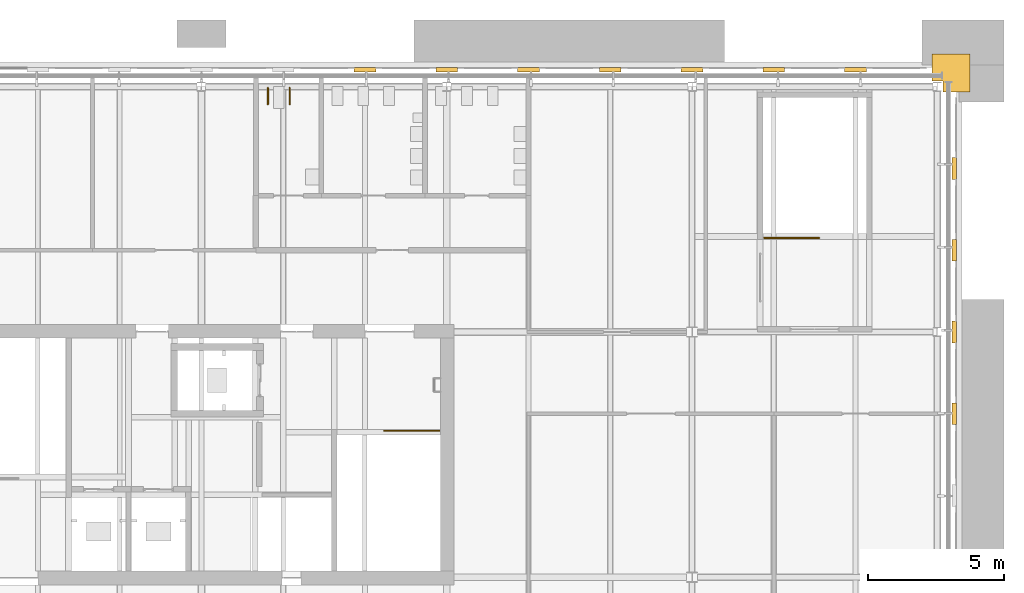
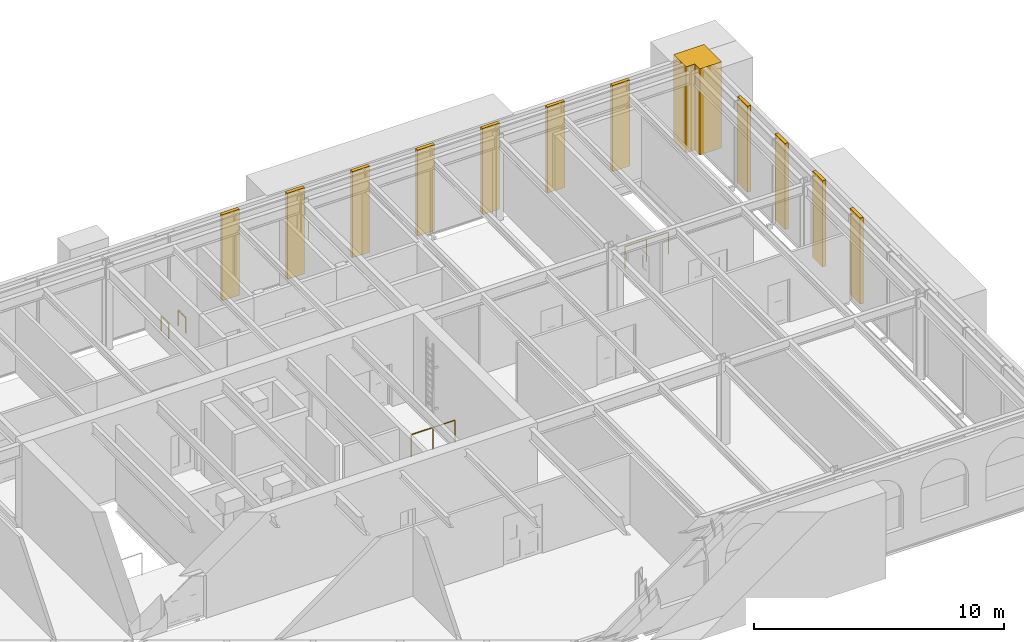
# One storey, part 23 of 24: 12 shading devices, 4 railings.
"""IFC4 building model written with IfcOpenShell, lengths in metres."""

from ifc_helpers import new_model, si_unit, direction, frame, origin, origin_2d, place, context, subcontext, project, spatial, polyline, rectangle, circle, outline, extrude, material, type_object, element, save


model = new_model("IFC4")

# Units and contexts
model_context = context("Model", 3, precision=1e-05, world=origin(), true_north=direction((0.0, 1.0)))
body_context = subcontext(model_context, "Body", "Model", "MODEL_VIEW")
ifc_project = project(units=[si_unit("LENGTHUNIT", "METRE"), si_unit("AREAUNIT", "SQUARE_METRE"), si_unit("VOLUMEUNIT", "CUBIC_METRE"), si_unit("PLANEANGLEUNIT", "RADIAN"), si_unit("MASSUNIT", "GRAM", prefix="KILO")], contexts=[model_context])

# Site, building, storey
site_placement = place(None, origin())
site = spatial("IfcSite", under=ifc_project, at=site_placement, CompositionType="ELEMENT")
building_placement = place(site_placement, origin())
building = spatial("IfcBuilding", under=site, at=building_placement, Name="Baradari Gate Terminus", CompositionType="ELEMENT")
storey_placement = place(building_placement, frame((0.0, 0.0, 32.699951171875)))
storey = spatial("IfcBuildingStorey", under=building, at=storey_placement, Name="L07", CompositionType="ELEMENT", Elevation=32.699951171875)

# Railings
ifc_material_1 = material(Name="Stainless steel 1.4301", Category="steel")
railing_type_1 = type_object("IfcRailingType", Name="Grab rail GB-1 750", PredefinedType="HANDRAIL", material=ifc_material_1)
for number, where, name in (
    (1, (38.4375, 143.949951171875, 0.0), "Grab rail Accessible WC"),
    (2, (39.237548828125, 143.949951171875, 0.0), "Grab rail Accessible WC"),
):
    element("IfcRailing", number, at=place(storey_placement, frame(where)), inside=storey, type_object=railing_type_1, Name=name, PredefinedType="HANDRAIL", context=body_context, shape_type="SweptSolid", body=[
        extrude(circle(Radius=0.02392578125, at=origin_2d()), frame((0.0, 0.0, 0.72607421875), z_axis=(0.0, -1.0, 0.0), x_axis=(1.0, 0.0, 0.0)), (0.0, 0.0, 1.0), 0.599853515625),
        extrude(circle(Radius=0.02099609375, at=origin_2d()), origin(), (0.0, 0.0, 1.0), 0.701904296875),
        extrude(circle(Radius=0.02099609375, at=origin_2d()), frame((0.0, -0.599853515625, 0.0)), (0.0, 0.0, 1.0), 0.701904296875),
    ])
ifc_material_2 = material(Name="Stainless steel 1.4301", Category="steel")
railing_type_2 = type_object("IfcRailingType", Name="Guard GR-1 1100", PredefinedType="GUARDRAIL", material=ifc_material_2)
railing_1_placement = place(storey_placement, frame((44.72509765625, 131.375, 0.0)))
element("IfcRailing", 3, at=railing_1_placement, inside=storey, type_object=railing_type_2, Name="Stair guard ST-T2 at L07 top landing", PredefinedType="GUARDRAIL", context=body_context, shape_type="SweptSolid", body=[
    extrude(circle(Radius=0.02392578125, at=origin_2d()), frame((0.0, 0.0, 1.076171875), z_axis=(-1.0, 0.0, 0.0), x_axis=(0.0, -1.0, 0.0)), (0.0, 0.0, 1.0), 2.010009765625),
    extrude(circle(Radius=0.02099609375, at=origin_2d()), origin(), (0.0, 0.0, 1.0), 1.052001953125),
    extrude(circle(Radius=0.02099609375, at=origin_2d()), frame((-1.0048828125, 0.0, 0.0)), (0.0, 0.0, 1.0), 1.052001953125),
    extrude(circle(Radius=0.02099609375, at=origin_2d()), frame((-2.010009765625, 0.0, 0.0)), (0.0, 0.0, 1.0), 1.052001953125),
])
railing_2_placement = place(storey_placement, frame((56.64990234375, 138.449951171875, 0.0)))
element("IfcRailing", 4, at=railing_2_placement, inside=storey, type_object=railing_type_2, Name="Stair guard ST-T3 at L07 top landing", PredefinedType="GUARDRAIL", context=body_context, shape_type="SweptSolid", body=[
    extrude(circle(Radius=0.02392578125, at=origin_2d()), frame((0.0, 0.0, 1.076171875), z_axis=(1.0, 0.0, 0.0), x_axis=(0.0, 1.0, 0.0)), (0.0, 0.0, 1.0), 2.010009765625),
    extrude(circle(Radius=0.02099609375, at=origin_2d()), origin(), (0.0, 0.0, 1.0), 1.052001953125),
    extrude(circle(Radius=0.02099609375, at=origin_2d()), frame((1.0048828125, 0.0, 0.0)), (0.0, 0.0, 1.0), 1.052001953125),
    extrude(circle(Radius=0.02099609375, at=origin_2d()), frame((2.010009765625, 0.0, 0.0)), (0.0, 0.0, 1.0), 1.052001953125),
])

# Shading devices
ifc_material_3 = material(Name="Light ochre laterite masonry", Category="masonry")
shading_device_type_1 = type_object("IfcShadingDeviceType", Name="Laterite arcade pier TP-4 800x195", PredefinedType="SHUTTER", material=ifc_material_3)
for number, where, z_axis, x_axis, name in (
    (5, (63.62255859375, 132.0, 0.0), (0.0, 0.0, 1.0), (0.0, 1.0, 0.0), "Arcade pier TP-4 L07 E face"),
    (6, (63.62255859375, 135.0, 0.0), (0.0, 0.0, 1.0), (0.0, 1.0, 0.0), "Arcade pier TP-4 L07 E face"),
    (7, (63.62255859375, 138.0, 0.0), (0.0, 0.0, 1.0), (0.0, 1.0, 0.0), "Arcade pier TP-4 L07 E face"),
    (8, (63.62255859375, 141.0, 0.0), (0.0, 0.0, 1.0), (0.0, 1.0, 0.0), "Arcade pier TP-4 L07 E face"),
    (9, (60.0, 144.62255859375, 0.0), (0.0, 0.0, 1.0), (-1.0, 0.0, 0.0), "Arcade pier TP-4 L07 N face"),
    (10, (57.0, 144.62255859375, 0.0), (0.0, 0.0, 1.0), (-1.0, 0.0, 0.0), "Arcade pier TP-4 L07 N face"),
    (11, (54.0, 144.62255859375, 0.0), (0.0, 0.0, 1.0), (-1.0, 0.0, 0.0), "Arcade pier TP-4 L07 N face"),
    (12, (51.0, 144.62255859375, 0.0), (0.0, 0.0, 1.0), (-1.0, 0.0, 0.0), "Arcade pier TP-4 L07 N face"),
    (13, (48.0, 144.62255859375, 0.0), (0.0, 0.0, 1.0), (-1.0, 0.0, 0.0), "Arcade pier TP-4 L07 N face"),
    (14, (45.0, 144.62255859375, 0.0), (0.0, 0.0, 1.0), (-1.0, 0.0, 0.0), "Arcade pier TP-4 L07 N face"),
    (15, (42.0, 144.62255859375, 0.0), (0.0, 0.0, 1.0), (-1.0, 0.0, 0.0), "Arcade pier TP-4 L07 N face"),
):
    element("IfcShadingDevice", number, at=place(storey_placement, frame(where, z_axis=z_axis, x_axis=x_axis)), inside=storey, type_object=shading_device_type_1, Name=name, PredefinedType="SHUTTER", context=body_context, shape_type="SweptSolid", body=[
        extrude(rectangle(XDim=0.800048828125, YDim=0.155029296875, at=origin_2d()), origin(), (0.0, 0.0, 1.0), 4.199951171875),
    ])
ifc_material_4 = material(Name="Light ochre laterite masonry", Category="masonry")
shading_device_type_2 = type_object("IfcShadingDeviceType", Name="Laterite corner pier QP-1 1000x1000", PredefinedType="SHUTTER", material=ifc_material_4)
shading_device_placement = place(storey_placement, origin())
element("IfcShadingDevice", 16, at=shading_device_placement, inside=storey, type_object=shading_device_type_2, Name="Corner pier QP-1 L07 at grid 63/144", PredefinedType="SHUTTER", context=body_context, shape_type="SweptSolid", body=[
    extrude(outline(polyline([(64.199951171875, 143.800048828125), (63.199951171875, 143.800048828125), (63.199951171875, 144.199951171875), (62.800048828125, 144.199951171875), (62.800048828125, 145.199951171875), (64.199951171875, 145.199951171875), (64.199951171875, 143.800048828125)])), origin(), (0.0, 0.0, 1.0), 4.199951171875),
])

save(model, "model.ifc")
